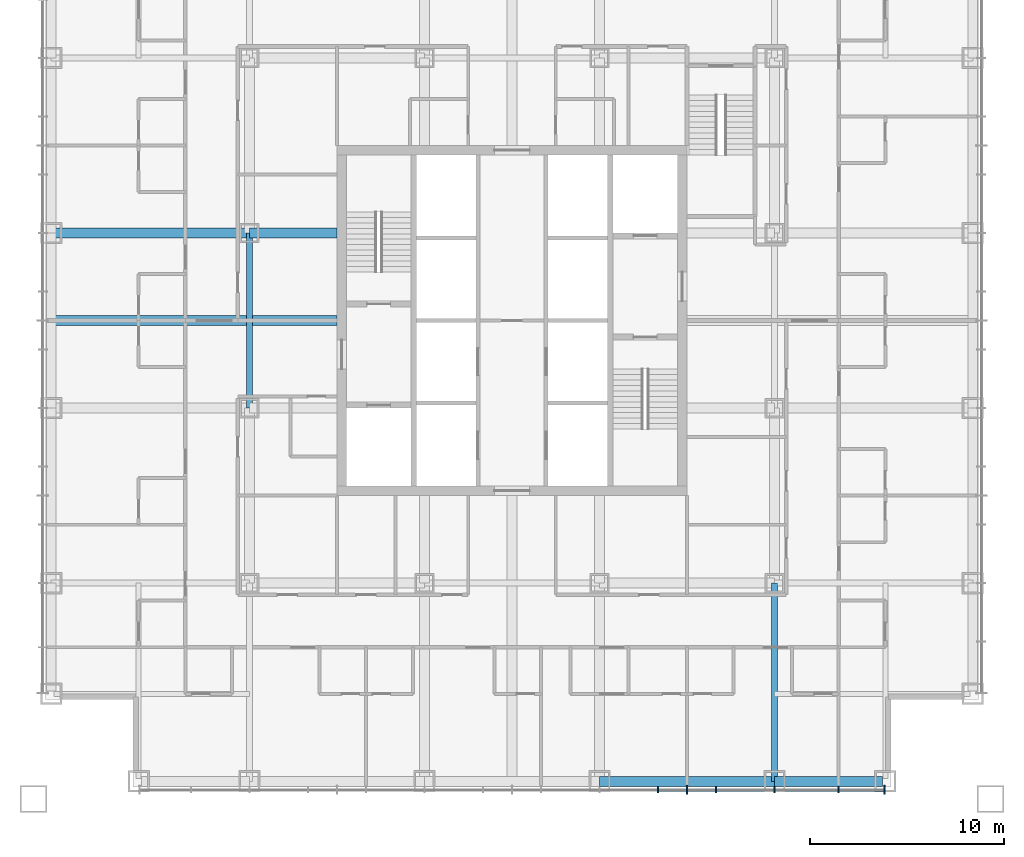
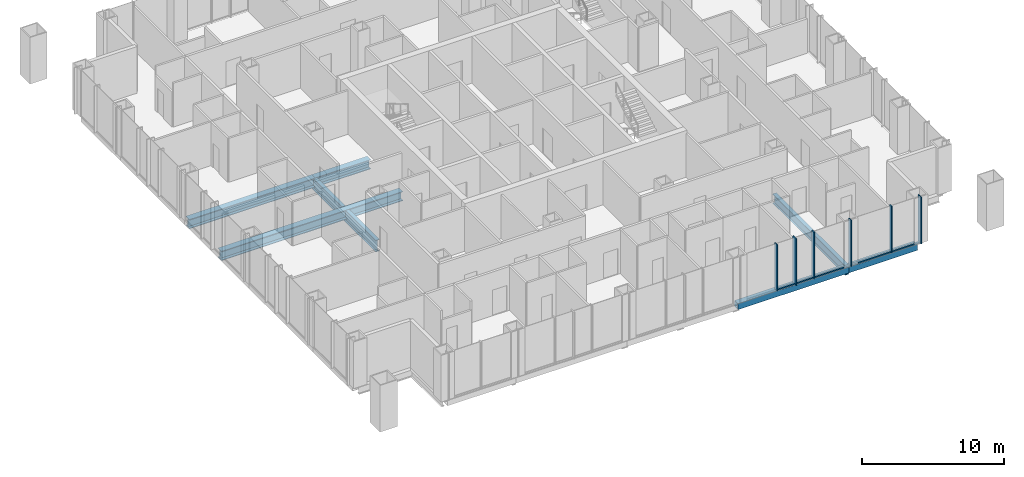
# One storey, part 3 of 12: 11 members, 7 beams, 1 element without a shape of its own.
"""IFC4 building model written with IfcOpenShell, lengths in metres."""

from ifc_helpers import new_model, si_unit, direction, frame, origin, origin_2d, place, context, subcontext, project, spatial, rectangle, hollow_rectangle, i_section, extrude, material, layer, layer_set, material_profile, profile_set, type_object, element, aggregate, save


model = new_model("IFC4")

# Units and contexts
model_context = context("Model", 3, precision=1e-05, world=origin(), true_north=direction((0.0, 1.0)))
body_context = subcontext(model_context, "Body", "Model", "MODEL_VIEW")
ifc_project = project(units=[si_unit("LENGTHUNIT", "METRE"), si_unit("AREAUNIT", "SQUARE_METRE"), si_unit("VOLUMEUNIT", "CUBIC_METRE"), si_unit("PLANEANGLEUNIT", "RADIAN"), si_unit("MASSUNIT", "GRAM", prefix="KILO")], contexts=[model_context])

# Site, building, storey
site_placement = place(None, origin())
site = spatial("IfcSite", under=ifc_project, at=site_placement, CompositionType="ELEMENT")
building_placement = place(site_placement, origin())
building = spatial("IfcBuilding", under=site, at=building_placement, Name="Malebo Sky Hospital", CompositionType="ELEMENT")
storey_placement = place(building_placement, frame((0.0, 0.0, 136.0)))
storey = spatial("IfcBuildingStorey", under=building, at=storey_placement, Name="L32", CompositionType="ELEMENT", Elevation=136.0)

# Curtain wall, members
ifc_material_1 = material(Name="Anodised aluminium, natural silver", Category="aluminium")
ifc_layer = layer(ifc_material_1, 0.25)
ifc_layer_set = layer_set([ifc_layer], Name="WARD CURTAIN WALL NORTH AND SOUTH")
curtain_wall_type = type_object("IfcCurtainWallType", Name="WARD CURTAIN WALL NORTH AND SOUTH", PredefinedType="NOTDEFINED", material=ifc_layer_set)
curtain_wall_placement = place(storey_placement, origin())
curtain_wall = element("IfcCurtainWall", 1, at=curtain_wall_placement, inside=storey, type_object=curtain_wall_type, Name="NS curtain wall S", PredefinedType="NOTDEFINED")
ifc_material_profile_1 = material_profile(ifc_material_1, rectangle(XDim=0.14990234375, YDim=0.10009765625, at=origin_2d()), Name="ALUMINIUM TRANSOM 150x100")
ifc_profile_set_1 = profile_set([ifc_material_profile_1], Name="Anodised aluminium, natural silver")
member_type_1 = type_object("IfcMemberType", Name="ALUMINIUM TRANSOM 150x100", PredefinedType="USERDEFINED", material=ifc_profile_set_1)
member_1_placement = place(storey_placement, frame((79.125, 37.864990234375, 0.050048828125), z_axis=(-1.0, 0.0, 0.0), x_axis=(0.0, -1.0, 0.0)))
member_1 = element("IfcMember", 2, at=member_1_placement, type_object=member_type_1, Name="Transom 1", ObjectType="TRANSOM", PredefinedType="USERDEFINED", context=body_context, shape_type="SweptSolid", body=[
    extrude(rectangle(XDim=0.14990234375, YDim=0.10009765625, at=origin_2d()), origin(), (0.0, 0.0, 1.0), 2.28759765625),
])
member_2_placement = place(storey_placement, frame((76.762451171875, 37.864990234375, 0.050048828125), z_axis=(-1.0, 0.0, 0.0), x_axis=(0.0, -1.0, 0.0)))
member_2 = element("IfcMember", 3, at=member_2_placement, type_object=member_type_1, Name="Transom 2", ObjectType="TRANSOM", PredefinedType="USERDEFINED", context=body_context, shape_type="SweptSolid", body=[
    extrude(rectangle(XDim=0.14990234375, YDim=0.10009765625, at=origin_2d()), origin(), (0.0, 0.0, 1.0), 3.224853515625),
])
member_3_placement = place(storey_placement, frame((73.46240234375, 37.864990234375, 0.050048828125), z_axis=(-1.0, 0.0, 0.0), x_axis=(0.0, -1.0, 0.0)))
member_3 = element("IfcMember", 4, at=member_3_placement, type_object=member_type_1, Name="Transom 3", ObjectType="TRANSOM", PredefinedType="USERDEFINED", context=body_context, shape_type="SweptSolid", body=[
    extrude(rectangle(XDim=0.14990234375, YDim=0.10009765625, at=origin_2d()), origin(), (0.0, 0.0, 1.0), 2.9248046875),
])
member_4_placement = place(storey_placement, frame((70.46240234375, 37.864990234375, 0.050048828125), z_axis=(-1.0, 0.0, 0.0), x_axis=(0.0, -1.0, 0.0)))
member_4 = element("IfcMember", 5, at=member_4_placement, type_object=member_type_1, Name="Transom 4", ObjectType="TRANSOM", PredefinedType="USERDEFINED", context=body_context, shape_type="SweptSolid", body=[
    extrude(rectangle(XDim=0.14990234375, YDim=0.10009765625, at=origin_2d()), origin(), (0.0, 0.0, 1.0), 1.4248046875),
])
member_5_placement = place(storey_placement, frame((68.96240234375, 37.864990234375, 0.050048828125), z_axis=(-1.0, 0.0, 0.0), x_axis=(0.0, -1.0, 0.0)))
member_5 = element("IfcMember", 6, at=member_5_placement, type_object=member_type_1, Name="Transom 5", ObjectType="TRANSOM", PredefinedType="USERDEFINED", context=body_context, shape_type="SweptSolid", body=[
    extrude(rectangle(XDim=0.14990234375, YDim=0.10009765625, at=origin_2d()), origin(), (0.0, 0.0, 1.0), 1.4248046875),
])
ifc_material_profile_2 = material_profile(ifc_material_1, rectangle(XDim=0.074951171875, YDim=0.300048828125, at=origin_2d()), Name="CW1 ALUMINIUM FIN MULLION 75x300")
ifc_profile_set_2 = profile_set([ifc_material_profile_2], Name="Anodised aluminium, natural silver")
member_type_2 = type_object("IfcMemberType", Name="CW1 ALUMINIUM FIN MULLION 75x300", PredefinedType="MULLION", material=ifc_profile_set_2)
member_6_placement = place(storey_placement, frame((76.800048828125, 37.864990234375, 0.0), z_axis=(0.0, 0.0, 1.0), x_axis=(-1.0, 0.0, 0.0)))
member_6 = element("IfcMember", 7, at=member_6_placement, type_object=member_type_2, Name="Fin mullion 2", PredefinedType="MULLION", context=body_context, shape_type="SweptSolid", body=[
    extrude(rectangle(XDim=0.074951171875, YDim=0.300048828125, at=origin_2d()), origin(), (0.0, 0.0, 1.0), 4.0),
])
member_7_placement = place(storey_placement, frame((73.5, 37.864990234375, 0.0), z_axis=(0.0, 0.0, 1.0), x_axis=(-1.0, 0.0, 0.0)))
member_7 = element("IfcMember", 8, at=member_7_placement, type_object=member_type_2, Name="Fin mullion 3", PredefinedType="MULLION", context=body_context, shape_type="SweptSolid", body=[
    extrude(rectangle(XDim=0.074951171875, YDim=0.300048828125, at=origin_2d()), origin(), (0.0, 0.0, 1.0), 4.0),
])
member_8_placement = place(storey_placement, frame((70.5, 37.864990234375, 0.0), z_axis=(0.0, 0.0, 1.0), x_axis=(-1.0, 0.0, 0.0)))
member_8 = element("IfcMember", 9, at=member_8_placement, type_object=member_type_2, Name="Fin mullion 4", PredefinedType="MULLION", context=body_context, shape_type="SweptSolid", body=[
    extrude(rectangle(XDim=0.074951171875, YDim=0.300048828125, at=origin_2d()), origin(), (0.0, 0.0, 1.0), 4.0),
])
member_9_placement = place(storey_placement, frame((67.5, 37.864990234375, 0.0), z_axis=(0.0, 0.0, 1.0), x_axis=(-1.0, 0.0, 0.0)))
member_9 = element("IfcMember", 10, at=member_9_placement, type_object=member_type_2, Name="Fin mullion 6", PredefinedType="MULLION", context=body_context, shape_type="SweptSolid", body=[
    extrude(rectangle(XDim=0.074951171875, YDim=0.300048828125, at=origin_2d()), origin(), (0.0, 0.0, 1.0), 4.0),
])
ifc_material_profile_3 = material_profile(ifc_material_1, rectangle(XDim=0.074951171875, YDim=0.449951171875, at=origin_2d()), Name="CW1 ALUMINIUM FIN MULLION 75x450")
ifc_profile_set_3 = profile_set([ifc_material_profile_3], Name="Anodised aluminium, natural silver")
member_type_3 = type_object("IfcMemberType", Name="CW1 ALUMINIUM FIN MULLION 75x450", PredefinedType="MULLION", material=ifc_profile_set_3)
member_10_placement = place(storey_placement, frame((79.16259765625, 37.864990234375, 0.0), z_axis=(0.0, 0.0, 1.0), x_axis=(-1.0, 0.0, 0.0)))
member_10 = element("IfcMember", 11, at=member_10_placement, type_object=member_type_3, Name="Fin mullion 1", PredefinedType="MULLION", context=body_context, shape_type="SweptSolid", body=[
    extrude(rectangle(XDim=0.074951171875, YDim=0.449951171875, at=origin_2d()), origin(), (0.0, 0.0, 1.0), 4.0),
])
member_11_placement = place(storey_placement, frame((69.0, 37.864990234375, 0.0), z_axis=(0.0, 0.0, 1.0), x_axis=(-1.0, 0.0, 0.0)))
member_11 = element("IfcMember", 12, at=member_11_placement, type_object=member_type_3, Name="Fin mullion 5", PredefinedType="MULLION", context=body_context, shape_type="SweptSolid", body=[
    extrude(rectangle(XDim=0.074951171875, YDim=0.449951171875, at=origin_2d()), origin(), (0.0, 0.0, 1.0), 4.0),
])
aggregate(curtain_wall, [member_10, member_6, member_7, member_8, member_11, member_9, member_1, member_2, member_3, member_4, member_5])

# Beams
ifc_material_2 = material(Name="Steel S460", Category="steel")
ifc_material_profile_4 = material_profile(ifc_material_2, hollow_rectangle(XDim=0.5, YDim=0.5, WallThickness=0.030029296875, at=origin_2d()), Name="BOX 500x500x30")
ifc_profile_set_4 = profile_set([ifc_material_profile_4], Name="Steel S460")
beam_type_1 = type_object("IfcBeamType", Name="EDGE BEAM BOX 500x500x30", PredefinedType="BEAM", material=ifc_profile_set_4)
beam_1_placement = place(storey_placement, frame((64.5, 38.300048828125, -0.5), z_axis=(1.0, 0.0, 0.0), x_axis=(0.0, 1.0, 0.0)))
element("IfcBeam", 13, at=beam_1_placement, inside=storey, type_object=beam_type_1, Name="Beam 037 L32", PredefinedType="BEAM", context=body_context, shape_type="SweptSolid", body=[
    extrude(hollow_rectangle(XDim=0.5, YDim=0.5, WallThickness=0.030029296875, at=origin_2d()), origin(), (0.0, 0.0, 1.0), 9.0),
])
beam_2_placement = place(storey_placement, frame((73.5, 38.300048828125, -0.5), z_axis=(1.0, 0.0, 0.0), x_axis=(0.0, 1.0, 0.0)))
element("IfcBeam", 14, at=beam_2_placement, inside=storey, type_object=beam_type_1, Name="Beam 038 L32", PredefinedType="BEAM", context=body_context, shape_type="SweptSolid", body=[
    extrude(hollow_rectangle(XDim=0.5, YDim=0.5, WallThickness=0.030029296875, at=origin_2d()), origin(), (0.0, 0.0, 1.0), 5.550048828125),
])
ifc_material_3 = material(Name="Steel S355", Category="steel")
ifc_material_profile_5 = material_profile(ifc_material_3, i_section(OverallWidth=0.5, OverallDepth=0.800048828125, WebThickness=0.030029296875, FlangeThickness=0.050048828125, at=origin_2d()), Name="PG 800x500x30x50")
ifc_profile_set_5 = profile_set([ifc_material_profile_5], Name="Steel S355")
beam_type_2 = type_object("IfcBeamType", Name="FLOOR BEAM PG 800x500x30x50", PredefinedType="BEAM", material=ifc_profile_set_5)
beam_3_placement = place(storey_placement, frame((36.300048828125, 62.0, -0.64990234375), z_axis=(1.0, 0.0, 0.0), x_axis=(0.0, 1.0, 0.0)))
element("IfcBeam", 15, at=beam_3_placement, inside=storey, type_object=beam_type_2, Name="Beam 050 L32", PredefinedType="BEAM", context=body_context, shape_type="SweptSolid", body=[
    extrude(i_section(OverallWidth=0.5, OverallDepth=0.800048828125, WebThickness=0.030029296875, FlangeThickness=0.050048828125, at=origin_2d()), origin(), (0.0, 0.0, 1.0), 14.699951171875),
])
beam_4_placement = place(storey_placement, frame((36.300048828125, 66.5, -0.64990234375), z_axis=(1.0, 0.0, 0.0), x_axis=(0.0, 1.0, 0.0)))
element("IfcBeam", 16, at=beam_4_placement, inside=storey, type_object=beam_type_2, Name="Beam 052 L32", PredefinedType="BEAM", context=body_context, shape_type="SweptSolid", body=[
    extrude(i_section(OverallWidth=0.5, OverallDepth=0.800048828125, WebThickness=0.030029296875, FlangeThickness=0.050048828125, at=origin_2d()), origin(), (0.0, 0.0, 1.0), 10.199951171875),
])
beam_5_placement = place(storey_placement, frame((46.5, 66.5, -0.64990234375), z_axis=(1.0, 0.0, 0.0), x_axis=(0.0, 1.0, 0.0)))
element("IfcBeam", 17, at=beam_5_placement, inside=storey, type_object=beam_type_2, Name="Beam 053 L32", PredefinedType="BEAM", context=body_context, shape_type="SweptSolid", body=[
    extrude(i_section(OverallWidth=0.5, OverallDepth=0.800048828125, WebThickness=0.030029296875, FlangeThickness=0.050048828125, at=origin_2d()), origin(), (0.0, 0.0, 1.0), 4.5),
])
ifc_material_profile_6 = material_profile(ifc_material_3, i_section(OverallWidth=0.300048828125, OverallDepth=0.800048828125, WebThickness=0.017578125, FlangeThickness=0.032958984375, FilletRadius=0.030029296875, at=origin_2d()), Name="HEB 800")
ifc_profile_set_6 = profile_set([ifc_material_profile_6], Name="Steel S355")
beam_type_3 = type_object("IfcBeamType", Name="FLOOR GIRDER HEB 800", PredefinedType="BEAM", material=ifc_profile_set_6)
beam_6_placement = place(storey_placement, frame((73.5, 38.300048828125, -0.64990234375), z_axis=(0.0, 1.0, 0.0), x_axis=(-1.0, 0.0, 0.0)))
element("IfcBeam", 18, at=beam_6_placement, inside=storey, type_object=beam_type_3, Name="Beam 022 L32", PredefinedType="BEAM", context=body_context, shape_type="SweptSolid", body=[
    extrude(i_section(OverallWidth=0.300048828125, OverallDepth=0.800048828125, WebThickness=0.017578125, FlangeThickness=0.032958984375, FilletRadius=0.030029296875, at=origin_2d()), origin(), (0.0, 0.0, 1.0), 10.199951171875),
])
ifc_material_profile_7 = material_profile(ifc_material_3, i_section(OverallWidth=0.300048828125, OverallDepth=1.0, WebThickness=0.01904296875, FlangeThickness=0.035888671875, FilletRadius=0.030029296875, at=origin_2d()), Name="HEB 1000")
ifc_profile_set_7 = profile_set([ifc_material_profile_7], Name="Steel S355")
beam_type_4 = type_object("IfcBeamType", Name="RING GIRDER HEB 1000", PredefinedType="BEAM", material=ifc_profile_set_7)
beam_7_placement = place(storey_placement, frame((46.5, 57.5, -0.75), z_axis=(0.0, 1.0, 0.0), x_axis=(-1.0, 0.0, 0.0)))
element("IfcBeam", 19, at=beam_7_placement, inside=storey, type_object=beam_type_4, Name="Beam 009 L32", PredefinedType="BEAM", context=body_context, shape_type="SweptSolid", body=[
    extrude(i_section(OverallWidth=0.300048828125, OverallDepth=1.0, WebThickness=0.01904296875, FlangeThickness=0.035888671875, FilletRadius=0.030029296875, at=origin_2d()), origin(), (0.0, 0.0, 1.0), 9.0),
])

save(model, "model.ifc")
